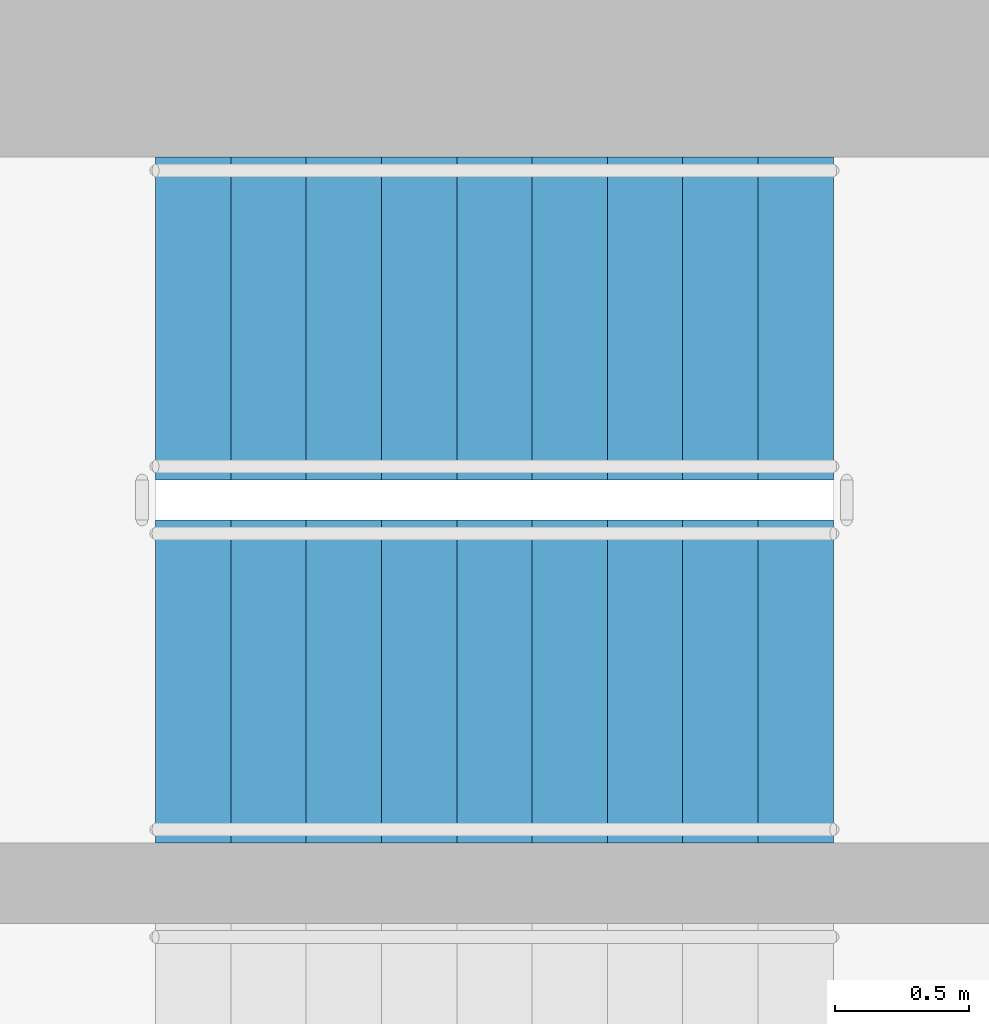
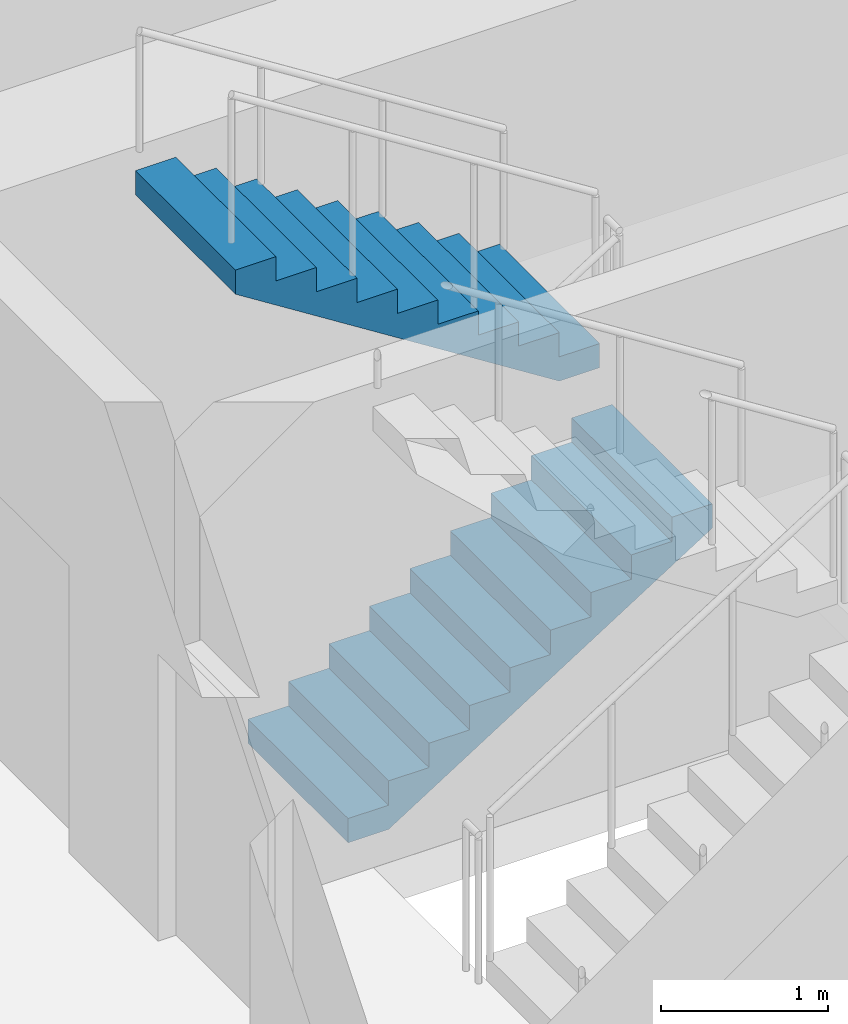
# One storey, part 13 of 17: 2 stair flights, 1 element without a shape of its own.
"""IFC4 building model written with IfcOpenShell, lengths in metres."""

from ifc_helpers import new_model, si_unit, direction, frame, origin, place, context, subcontext, project, spatial, polyline, outline, extrude, material, type_object, element, aggregate, save


model = new_model("IFC4")

# Units and contexts
model_context = context("Model", 3, precision=1e-05, world=origin(), true_north=direction((0.0, 1.0)))
body_context = subcontext(model_context, "Body", "Model", "MODEL_VIEW")
ifc_project = project(units=[si_unit("LENGTHUNIT", "METRE"), si_unit("AREAUNIT", "SQUARE_METRE"), si_unit("VOLUMEUNIT", "CUBIC_METRE"), si_unit("PLANEANGLEUNIT", "RADIAN"), si_unit("MASSUNIT", "GRAM", prefix="KILO")], contexts=[model_context])

# Site, building, storey
site_placement = place(None, origin())
site = spatial("IfcSite", under=ifc_project, at=site_placement, CompositionType="ELEMENT")
building_placement = place(site_placement, origin())
building = spatial("IfcBuilding", under=site, at=building_placement, Name="Ostrand Prow Hotel Tower", CompositionType="ELEMENT")
storey_placement = place(building_placement, frame((0.0, 0.0, 133.75)))
storey = spatial("IfcBuildingStorey", under=building, at=storey_placement, Name="L32", CompositionType="ELEMENT", Elevation=133.75)

# Stair, stair flights
ifc_material_1 = material(Name="Concrete C40/50", Category="concrete")
stair_type = type_object("IfcStairType", Name="Exit stair 1200 upper zone", PredefinedType="HALF_TURN_STAIR", material=ifc_material_1)
stair_placement = place(storey_placement, origin())
stair = element("IfcStair", 1, at=stair_placement, inside=storey, type_object=stair_type, Name="L32 ST3C", PredefinedType="HALF_TURN_STAIR")
ifc_material_2 = material(Name="Concrete C40/50", Category="concrete")
stair_flight_type = type_object("IfcStairFlightType", Name="Stair flight 1200 concrete", PredefinedType="STRAIGHT", material=ifc_material_2)
stair_flight_1_placement = place(storey_placement, frame((57.199951171875, 13.800048828125, 0.0), z_axis=(0.0, 0.0, 1.0), x_axis=(1.0, 0.0, 0.0)))
stair_flight_1 = element("IfcStairFlight", 2, at=stair_flight_1_placement, type_object=stair_flight_type, Name="ST3C flight 1", NumberOfRisers=10, NumberOfTreads=9, PredefinedType="STRAIGHT", RiserHeight=0.1775, TreadLength=0.28, context=body_context, shape_type="SweptSolid", body=[
    extrude(outline(polyline([(0.0, 0.0), (0.0, 0.177490234375), (0.280029296875, 0.177490234375), (0.280029296875, 0.35498046875), (0.56005859375, 0.35498046875), (0.56005859375, 0.532470703125), (0.840087890625, 0.532470703125), (0.840087890625, 0.7099609375), (1.1201171875, 0.7099609375), (1.1201171875, 0.887451171875), (1.39990234375, 0.887451171875), (1.39990234375, 1.06494140625), (1.679931640625, 1.06494140625), (1.679931640625, 1.242431640625), (1.9599609375, 1.242431640625), (1.9599609375, 1.419921875), (2.239990234375, 1.419921875), (2.239990234375, 1.597412109375), (2.52001953125, 1.597412109375), (2.52001953125, 1.77490234375), (2.52001953125, 1.419921875), (0.280029296875, 0.0), (0.0, 0.0)])), frame((0.0, 0.60009765625, 0.0), z_axis=(0.0, -1.0, 0.0), x_axis=(1.0, 0.0, 0.0)), (0.0, 0.0, 1.0), 1.199951171875),
])
stair_flight_2_placement = place(storey_placement, frame((59.719970703125, 15.14990234375, 1.77490234375), z_axis=(0.0, 0.0, 1.0), x_axis=(-1.0, 0.0, 0.0)))
stair_flight_2 = element("IfcStairFlight", 3, at=stair_flight_2_placement, type_object=stair_flight_type, Name="ST3C flight 2", NumberOfRisers=10, NumberOfTreads=9, PredefinedType="STRAIGHT", RiserHeight=0.1775, TreadLength=0.28, context=body_context, shape_type="SweptSolid", body=[
    extrude(outline(polyline([(0.0, 0.0), (0.0, 0.177490234375), (0.280029296875, 0.177490234375), (0.280029296875, 0.35498046875), (0.56005859375, 0.35498046875), (0.56005859375, 0.532470703125), (0.840087890625, 0.532470703125), (0.840087890625, 0.7099609375), (1.1201171875, 0.7099609375), (1.1201171875, 0.887451171875), (1.39990234375, 0.887451171875), (1.39990234375, 1.06494140625), (1.679931640625, 1.06494140625), (1.679931640625, 1.242431640625), (1.9599609375, 1.242431640625), (1.9599609375, 1.419921875), (2.239990234375, 1.419921875), (2.239990234375, 1.597412109375), (2.52001953125, 1.597412109375), (2.52001953125, 1.77490234375), (2.52001953125, 1.419921875), (0.280029296875, 0.0), (0.0, 0.0)])), frame((0.0, 0.60009765625, 0.0), z_axis=(0.0, -1.0, 0.0), x_axis=(1.0, 0.0, 0.0)), (0.0, 0.0, 1.0), 1.199951171875),
])
aggregate(stair, [stair_flight_1, stair_flight_2])

save(model, "model.ifc")
